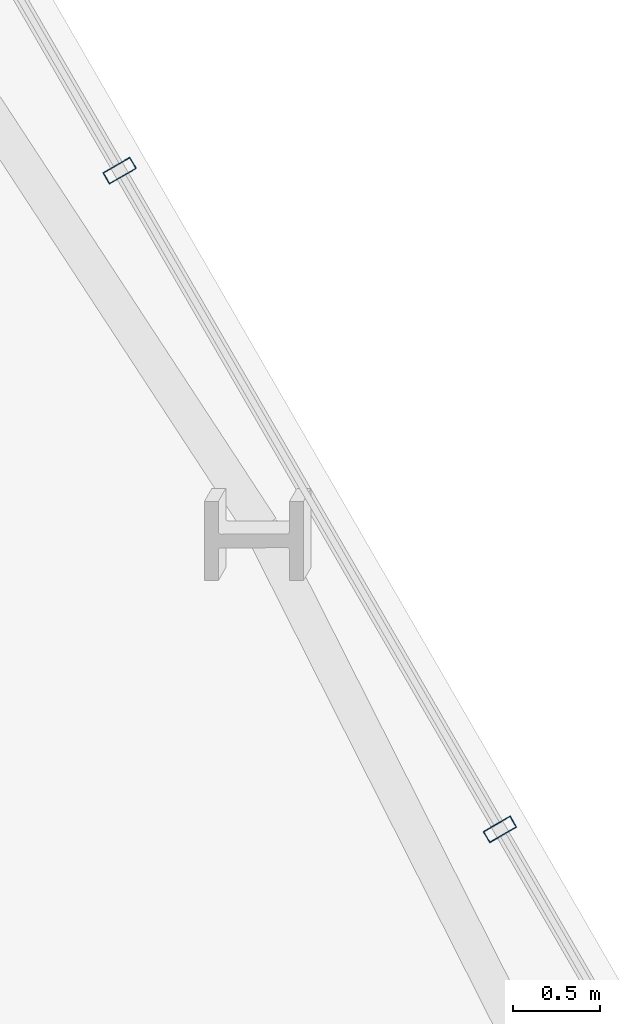
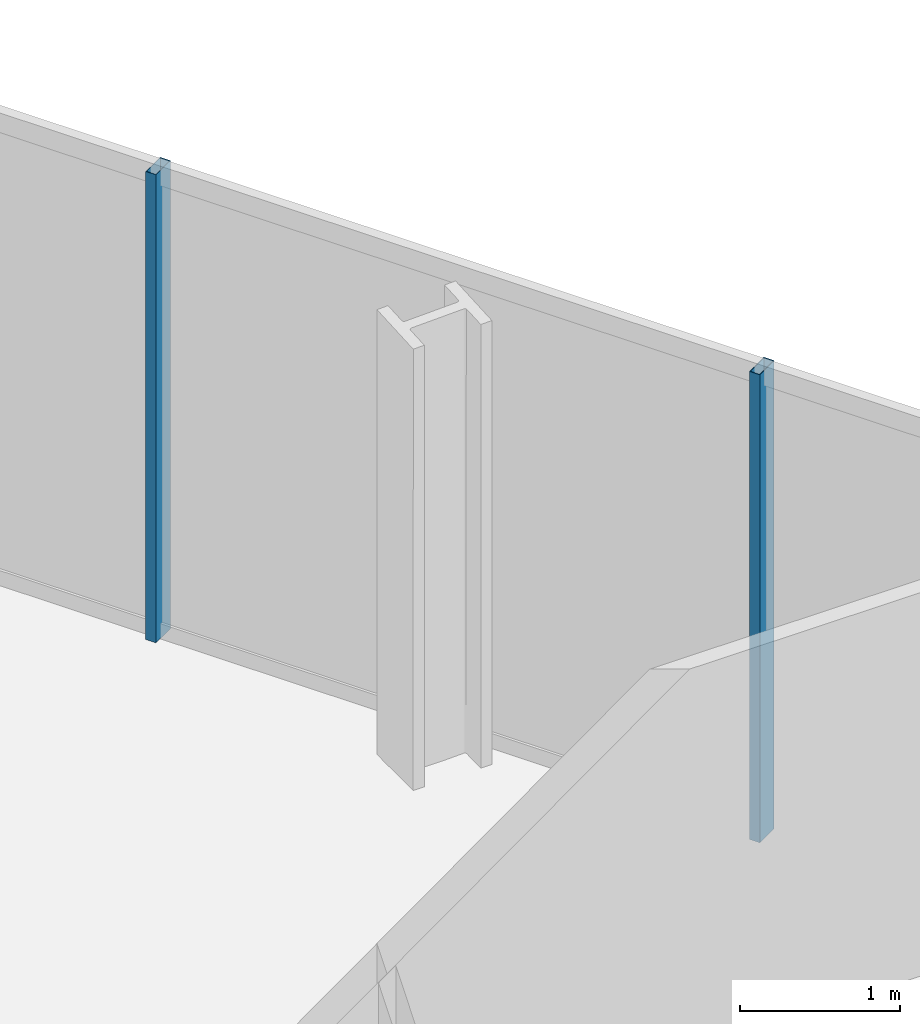
# One storey, part 19 of 33: 2 members, 1 element without a shape of its own.
"""IFC4 building model written with IfcOpenShell, lengths in metres."""

import ifcopenshell
import ifcopenshell.guid

model = None  # the IFC model being written
_history = None  # IfcOwnerHistory: only IFC2X3 demands one
_inside = {}  # id of a spatial element -> (the spatial element, [elements in it])
_under = {}  # id of a project, library or spatial element -> (it, [spatial elements below it])
_declared = {}  # id of a project -> (the project, [libraries it declares])
_typed = {}  # id of a type object -> (the type object, [elements of that type])
_made_of = {}  # id of a material, layer set ... -> (it, [elements and type objects made of it])


def new_model(schema):
    """Start an empty IFC model of exactly this schema.

    Asked for "IFC4X3", IfcOpenShell would pick the latest addendum, in which some entities
    have other attributes; the version numbers below select the first issue.
    IFC2X3 requires an IfcOwnerHistory on every rooted entity: one is made here for all.
    """
    global model, _history
    if schema == "IFC4X3":
        model = ifcopenshell.file(schema_version=(4, 3, 0, 0))
    else:
        model = ifcopenshell.file(schema=schema)
    _inside.clear()
    _under.clear()
    _declared.clear()
    _typed.clear()
    _made_of.clear()
    _history = None
    if model.schema == "IFC2X3":
        org = make("IfcOrganization", Name="unknown")
        user = make(
            "IfcPersonAndOrganization",
            ThePerson=make("IfcPerson", FamilyName="unknown"),
            TheOrganization=org,
        )
        app = make(
            "IfcApplication",
            ApplicationDeveloper=org,
            Version="unknown",
            ApplicationFullName="unknown",
            ApplicationIdentifier="unknown",
        )
        _history = make(
            "IfcOwnerHistory",
            OwningUser=user,
            OwningApplication=app,
            ChangeAction="ADDED",
            CreationDate=0,
        )
    return model


def make(cls, **values):
    """One entity of the class cls with the attributes given. An attribute that is None is left unset."""
    return model.create_entity(
        cls, **{name: value for name, value in values.items() if value is not None}
    )


def rooted(cls, **values):
    """An entity with a GlobalId (a new one), such as an element, a storey or a relation."""
    return make(cls, GlobalId=ifcopenshell.guid.new(), OwnerHistory=_history, **values)


def si_unit(unit_type, name, prefix=None):
    """IfcSIUnit, for example si_unit("LENGTHUNIT", "METRE", prefix="MILLI")."""
    return make("IfcSIUnit", UnitType=unit_type, Prefix=prefix, Name=name)


def assignment(units):
    """IfcUnitAssignment: the units of a project."""
    return None if units is None else make("IfcUnitAssignment", Units=units)


def point(xyz):
    """IfcCartesianPoint."""
    return None if xyz is None else make("IfcCartesianPoint", Coordinates=xyz)


def direction(xyz):
    """IfcDirection."""
    return None if xyz is None else make("IfcDirection", DirectionRatios=xyz)


def frame(location, z_axis=None, x_axis=None):
    """IfcAxis2Placement3D, a coordinate frame: its origin and axes. An axis left out is left unset."""
    return make(
        "IfcAxis2Placement3D",
        Location=point(location),
        Axis=direction(z_axis),
        RefDirection=direction(x_axis),
    )


def frame_2d(location, x_axis=None):
    """IfcAxis2Placement2D, a coordinate frame in the plane: its origin and x axis."""
    return make(
        "IfcAxis2Placement2D", Location=point(location), RefDirection=direction(x_axis)
    )


def origin():
    """The frame at (0, 0, 0) with its axes left unset."""
    return frame((0.0, 0.0, 0.0))


def origin_2d():
    """The frame at (0, 0) in the plane with its x axis left unset."""
    return frame_2d((0.0, 0.0))


def place(relative_to, where):
    """IfcLocalPlacement: puts the frame where relative to a parent placement (None: the world)."""
    return make(
        "IfcLocalPlacement", PlacementRelTo=relative_to, RelativePlacement=where
    )


def context(
    kind, dimensions, precision=None, world=None, true_north=None, identifier=None
):
    """IfcGeometricRepresentationContext, for example the 3D "Model" context."""
    return make(
        "IfcGeometricRepresentationContext",
        ContextIdentifier=identifier,
        ContextType=kind,
        CoordinateSpaceDimension=dimensions,
        Precision=precision,
        WorldCoordinateSystem=world,
        TrueNorth=true_north,
    )


def subcontext(parent, identifier, kind, view, scale=None):
    """IfcGeometricRepresentationSubContext, for example "Body" below "Model"."""
    return make(
        "IfcGeometricRepresentationSubContext",
        ContextIdentifier=identifier,
        ContextType=kind,
        ParentContext=parent,
        TargetScale=scale,
        TargetView=view,
    )


def project(units=None, contexts=None):
    """IfcProject with its units and contexts."""
    return rooted(
        "IfcProject",
        Name="project",
        RepresentationContexts=contexts,
        UnitsInContext=assignment(units),
    )


def spatial(cls, under=None, at=None, **own):
    """A site, building, storey or space (cls), placed at a placement, below another one or the project."""
    s = rooted(cls, ObjectPlacement=at, **own)
    if under is not None:
        _under.setdefault(under.id(), (under, []))[1].append(s)
    return s


def profile(cls, at=None, kind="AREA", **sizes):
    """A parametric profile (cls). Its sizes go by their IFC names, for example OverallWidth=200.0."""
    return make(cls, ProfileType=kind, Position=at, **sizes)


def hollow_rectangle(**sizes):
    """IfcRectangleHollowProfileDef."""
    return profile("IfcRectangleHollowProfileDef", **sizes)


def extrude(swept, where, along, depth):
    """IfcExtrudedAreaSolid: the profile swept, set in the frame where, extruded along a direction by depth."""
    return make(
        "IfcExtrudedAreaSolid",
        SweptArea=swept,
        Position=where,
        ExtrudedDirection=direction(along),
        Depth=depth,
    )


def shape(context_of_items, identifier, shape_type, items):
    """IfcShapeRepresentation: the items that make up one representation, for example the "Body"."""
    return make(
        "IfcShapeRepresentation",
        ContextOfItems=context_of_items,
        RepresentationIdentifier=identifier,
        RepresentationType=shape_type,
        Items=items,
    )


def material(Name=None, Category=None):
    """IfcMaterial."""
    return make("IfcMaterial", Name=Name, Category=Category)


def layer(
    of_material, thickness, ventilated=None, Name=None, Category=None, Priority=None
):
    """IfcMaterialLayer: one layer of a wall or slab, of a material (None: an air gap)."""
    return make(
        "IfcMaterialLayer",
        Material=of_material,
        LayerThickness=thickness,
        IsVentilated=ventilated,
        Name=Name,
        Category=Category,
        Priority=Priority,
    )


def layer_set(layers, Name=None):
    """IfcMaterialLayerSet."""
    return make("IfcMaterialLayerSet", MaterialLayers=layers, LayerSetName=Name)


def material_profile(
    of_material, cross_section, Name=None, Category=None, Priority=None
):
    """IfcMaterialProfile: a cross section and its material."""
    return make(
        "IfcMaterialProfile",
        Name=Name,
        Material=of_material,
        Profile=cross_section,
        Priority=Priority,
        Category=Category,
    )


def profile_set(profiles, Name=None, composite=None):
    """IfcMaterialProfileSet."""
    return make(
        "IfcMaterialProfileSet",
        Name=Name,
        MaterialProfiles=profiles,
        CompositeProfile=composite,
    )


def made_of(thing, what):
    """Note that an element or type object is made of a material, layer set ...; save() writes the relation."""
    if what is not None:
        _made_of.setdefault(what.id(), (what, []))[1].append(thing)
    return thing


def type_object(cls, material=None, **own):
    """A type object (cls), such as IfcWallType, which elements share."""
    return made_of(rooted(cls, **own), material)


def element(
    cls,
    number,
    at=None,
    inside=None,
    cuts=None,
    type_object=None,
    material=None,
    context=None,
    identifier="Body",
    shape_type=None,
    held_by="IfcProductDefinitionShape",
    body=None,
    shapes=None,
    **own,
):
    """One element of the class cls, such as IfcWall. Its Tag is "e" and its number.

    at: its placement. inside: the storey or other place that contains it. cuts: it is an
    opening in that element (IfcRelVoidsElement). A single representation is given by context,
    identifier, shape_type and body (its items); several are given by shapes. held_by: the class
    of the entity that holds the representations. save() writes the other relations.
    """
    e = rooted(cls, Tag="e%d" % number, ObjectPlacement=at, **own)
    if body is not None:
        shapes = [shape(context, identifier, shape_type, body)]
    if shapes is not None:
        e.Representation = make(held_by, Representations=shapes)
    if inside is not None:
        _inside.setdefault(inside.id(), (inside, []))[1].append(e)
    if cuts is not None:
        rooted(
            "IfcRelVoidsElement", RelatingBuildingElement=cuts, RelatedOpeningElement=e
        )
    if type_object is not None:
        _typed.setdefault(type_object.id(), (type_object, []))[1].append(e)
    return made_of(e, material)


def aggregate(whole, parts):
    """IfcRelAggregates: a whole, such as a stair, and the parts it consists of."""
    return rooted("IfcRelAggregates", RelatingObject=whole, RelatedObjects=parts)


def save(model, path):
    """Write the relations noted so far, then the file.

    IfcRelAggregates (storeys below a building ...), IfcRelContainedInSpatialStructure (elements
    in a storey), IfcRelDefinesByType, IfcRelAssociatesMaterial and IfcRelDeclares: one each for
    every whole, place, type object, material and project.
    """
    for whole, parts in _under.values():
        aggregate(whole, parts)
    for where, things in _inside.values():
        rooted(
            "IfcRelContainedInSpatialStructure",
            RelatedElements=things,
            RelatingStructure=where,
        )
    for kind, things in _typed.values():
        rooted("IfcRelDefinesByType", RelatedObjects=things, RelatingType=kind)
    for what, things in _made_of.values():
        rooted("IfcRelAssociatesMaterial", RelatedObjects=things, RelatingMaterial=what)
    for by, libraries in _declared.values():
        rooted("IfcRelDeclares", RelatingContext=by, RelatedDefinitions=libraries)
    model.write(path)


model = new_model("IFC4")

# Units and contexts
model_context = context("Model", 3, precision=1e-05, world=origin(), true_north=direction((0.0, 1.0)))
body_context = subcontext(model_context, "Body", "Model", "MODEL_VIEW")
ifc_project = project(units=[si_unit("LENGTHUNIT", "METRE"), si_unit("AREAUNIT", "SQUARE_METRE"), si_unit("VOLUMEUNIT", "CUBIC_METRE"), si_unit("PLANEANGLEUNIT", "RADIAN"), si_unit("MASSUNIT", "GRAM", prefix="KILO")], contexts=[model_context])

# Site, building, storey
site_placement = place(None, origin())
site = spatial("IfcSite", under=ifc_project, at=site_placement, CompositionType="ELEMENT")
building_placement = place(site_placement, origin())
building = spatial("IfcBuilding", under=site, at=building_placement, Name="Ndaravel Arena Tower", CompositionType="ELEMENT")
storey_placement = place(building_placement, frame((0.0, 0.0, 43.60009765625)))
storey = spatial("IfcBuildingStorey", under=building, at=storey_placement, Name="L08", CompositionType="ELEMENT", Elevation=43.60009765625)

# Curtain wall, members
ifc_material_1 = material(Name="Aluminium", Category="aluminium")
ifc_layer = layer(ifc_material_1, 0.179931640625)
ifc_layer_set = layer_set([ifc_layer], Name="Aluminium")
curtain_wall_type = type_object("IfcCurtainWallType", Name="CW-SYS-03", PredefinedType="NOTDEFINED", material=ifc_layer_set)
curtain_wall_placement = place(storey_placement, origin())
curtain_wall = element("IfcCurtainWall", 1, at=curtain_wall_placement, inside=storey, type_object=curtain_wall_type, Name="L08 Faceted Crystal Curtain Wall CW-L08-E03", PredefinedType="NOTDEFINED")
ifc_material_2 = material(Name="Aluminium", Category="aluminium")
ifc_material_profile = material_profile(ifc_material_2, hollow_rectangle(XDim=0.074951171875, YDim=0.179931640625, WallThickness=0.00390625, at=origin_2d()), Name="CW MULLION 75x180x4")
ifc_profile_set = profile_set([ifc_material_profile], Name="Aluminium")
member_type = type_object("IfcMemberType", Name="MEM-CW-MUL180", PredefinedType="MULLION", material=ifc_profile_set)
member_1_placement = place(storey_placement, frame((58.974853515625, 30.778564453125, 0.0), z_axis=(0.0, 0.0, 1.0), x_axis=(-0.5, 0.866025403784, 0.0)))
member_1 = element("IfcMember", 2, at=member_1_placement, type_object=member_type, Name="CW-L08-E03 Mullion 03", PredefinedType="MULLION", context=body_context, shape_type="SweptSolid", body=[
    extrude(hollow_rectangle(XDim=0.074951171875, YDim=0.179931640625, WallThickness=0.00390625, at=origin_2d()), origin(), (0.0, 0.0, 1.0), 3.579833984375),
])
member_2_placement = place(storey_placement, frame((56.791015625, 34.561279296875, 0.0), z_axis=(0.0, 0.0, 1.0), x_axis=(-0.5, 0.866025403784, 0.0)))
member_2 = element("IfcMember", 3, at=member_2_placement, type_object=member_type, Name="CW-L08-E03 Mullion 04", PredefinedType="MULLION", context=body_context, shape_type="SweptSolid", body=[
    extrude(hollow_rectangle(XDim=0.074951171875, YDim=0.179931640625, WallThickness=0.00390625, at=origin_2d()), origin(), (0.0, 0.0, 1.0), 3.579833984375),
])
aggregate(curtain_wall, [member_1, member_2])

save(model, "model.ifc")
